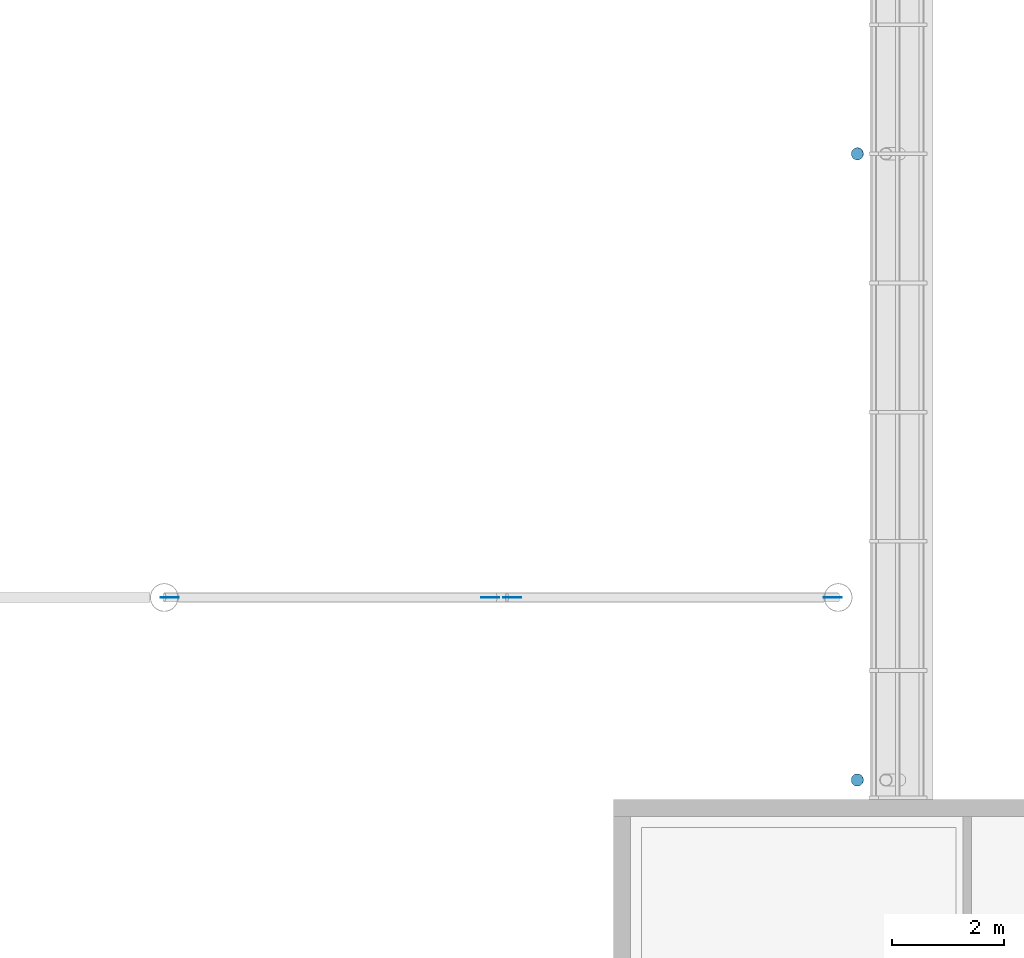
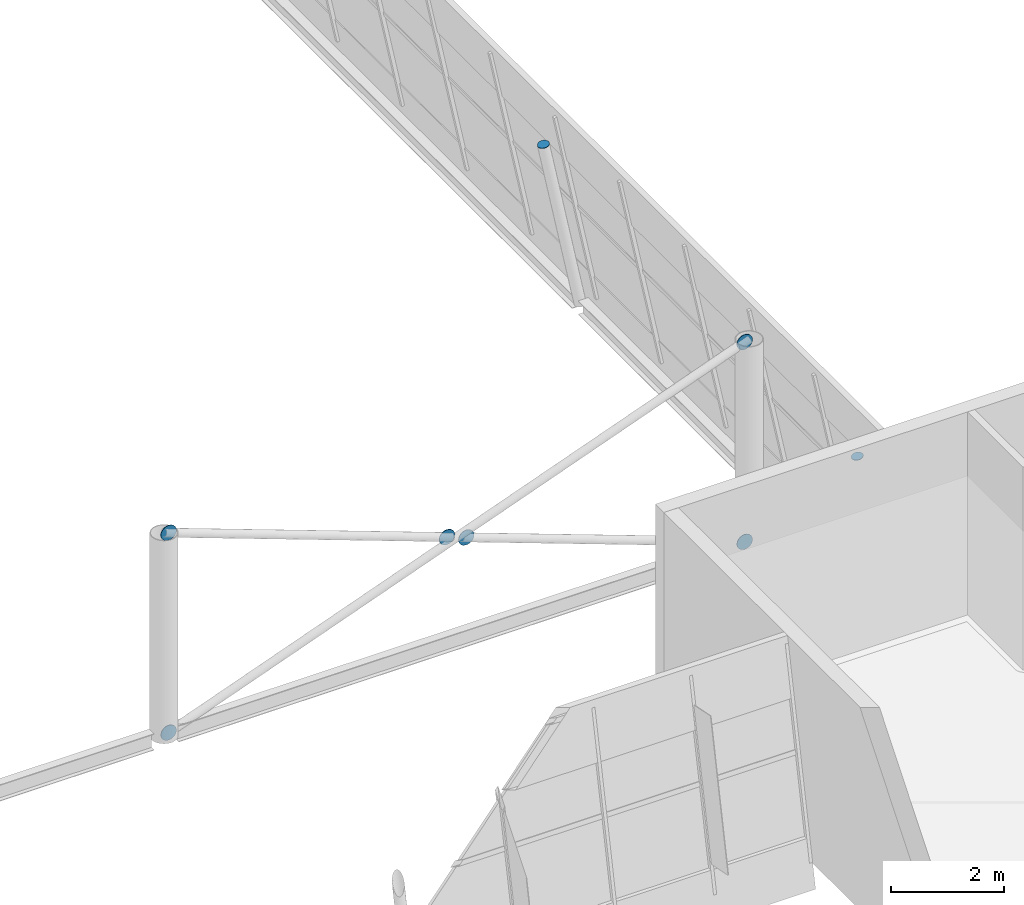
# One storey, part 39 of 50: 8 discrete accessories.
"""IFC4 building model written with IfcOpenShell, lengths in metres."""

from ifc_helpers import new_model, si_unit, direction, frame, origin, origin_2d, place, context, subcontext, project, spatial, circle, extrude, material, layer, layer_set, type_object, element, save


model = new_model("IFC4")

# Units and contexts
model_context = context("Model", 3, precision=1e-05, world=origin(), true_north=direction((0.0, 1.0)))
body_context = subcontext(model_context, "Body", "Model", "MODEL_VIEW")
ifc_project = project(units=[si_unit("LENGTHUNIT", "METRE"), si_unit("AREAUNIT", "SQUARE_METRE"), si_unit("VOLUMEUNIT", "CUBIC_METRE"), si_unit("PLANEANGLEUNIT", "RADIAN"), si_unit("MASSUNIT", "GRAM", prefix="KILO")], contexts=[model_context])

# Site, building, storey
site_placement = place(None, origin())
site = spatial("IfcSite", under=ifc_project, at=site_placement, CompositionType="ELEMENT")
building_placement = place(site_placement, origin())
building = spatial("IfcBuilding", under=site, at=building_placement, Name="Windward Yard Aquatics Centre", CompositionType="ELEMENT")
storey_placement = place(building_placement, frame((0.0, 0.0, 18.199951171875)))
storey = spatial("IfcBuildingStorey", under=building, at=storey_placement, Name="L04", CompositionType="ELEMENT", Elevation=18.199951171875)

# Discrete accessories
ifc_material = material(Name="Steel S355", Category="steel")
ifc_layer_1 = layer(ifc_material, 0.010009765625)
ifc_layer_set_1 = layer_set([ifc_layer_1], Name="End cap plate 10 mm CHS219.1x12.7")
discrete_accessory_type_1 = type_object("IfcDiscreteAccessoryType", Name="End cap plate 10 mm CHS219.1x12.7", PredefinedType="USERDEFINED", material=ifc_layer_set_1)
for number, where, z_axis, x_axis, name in (
    (1, (144.34228515625, 49.5, 3.7001953125), (-0.196116135138, 0.0, 0.980580675691), (0.0, -1.0, 0.0), "End cap"),
    (2, (144.34228515625, 38.35009765625, 3.7001953125), (-0.196116135138, 0.0, 0.980580675691), (0.0, -1.0, 0.0), "End cap"),
):
    element("IfcDiscreteAccessory", number, at=place(storey_placement, frame(where, z_axis=z_axis, x_axis=x_axis)), inside=storey, type_object=discrete_accessory_type_1, Name=name, ObjectType="END CAP", PredefinedType="USERDEFINED", context=body_context, shape_type="SweptSolid", body=[
        extrude(circle(Radius=0.109619140625, at=origin_2d()), origin(), (0.0, 0.0, 1.0), 0.010009765625),
    ])
ifc_layer_2 = layer(ifc_material, 0.011962890625)
ifc_layer_set_2 = layer_set([ifc_layer_2], Name="Gusset plate 320 mm disc 12 mm")
discrete_accessory_type_2 = type_object("IfcDiscreteAccessoryType", Name="Gusset plate 320 mm disc 12 mm", PredefinedType="USERDEFINED", material=ifc_layer_set_2)
for number, where, z_axis, x_axis, name in (
    (3, (132.093994140625, 41.593994140625, 0.034423828125), (0.0, 1.0, 0.0), (-1.0, 0.0, 0.0), "Gusset plate"),
    (4, (143.906005859375, 41.593994140625, 4.36572265625), (0.0, 1.0, 0.0), (-1.0, 0.0, 0.0), "Gusset plate"),
    (5, (132.093994140625, 41.593994140625, 4.36572265625), (0.0, 1.0, 0.0), (-1.0, 0.0, 0.0), "Gusset plate"),
    (6, (137.802734375, 41.593994140625, 2.2724609375), (0.0, 1.0, 0.0), (-1.0, 0.0, 0.0), "Gusset plate"),
    (7, (138.197265625, 41.593994140625, 2.127685546875), (0.0, 1.0, 0.0), (-1.0, 0.0, 0.0), "Gusset plate"),
    (8, (143.906005859375, 41.593994140625, 0.034423828125), (0.0, 1.0, 0.0), (-1.0, 0.0, 0.0), "Gusset plate"),
):
    element("IfcDiscreteAccessory", number, at=place(storey_placement, frame(where, z_axis=z_axis, x_axis=x_axis)), inside=storey, type_object=discrete_accessory_type_2, Name=name, ObjectType="GUSSET PLATE", PredefinedType="USERDEFINED", context=body_context, shape_type="SweptSolid", body=[
        extrude(circle(Radius=0.159912109375, at=origin_2d()), origin(), (0.0, 0.0, 1.0), 0.011962890625),
    ])

save(model, "model.ifc")
